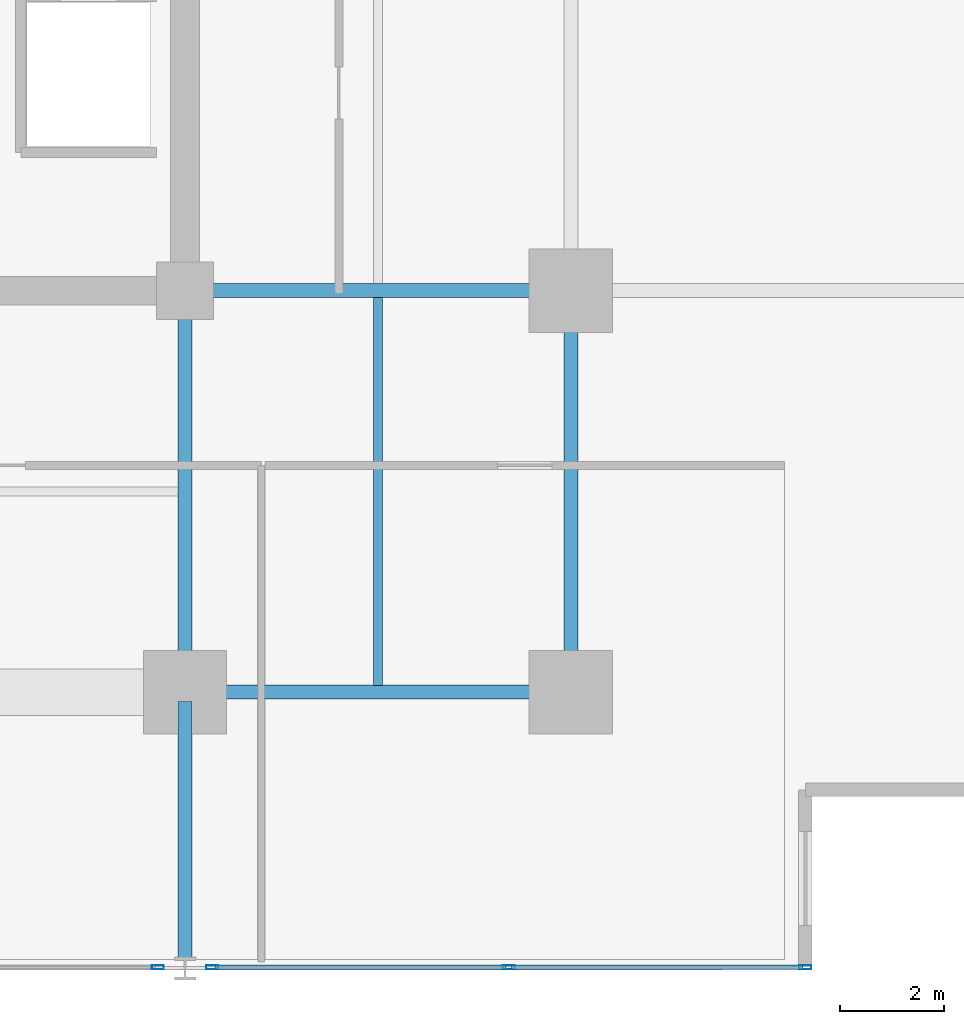
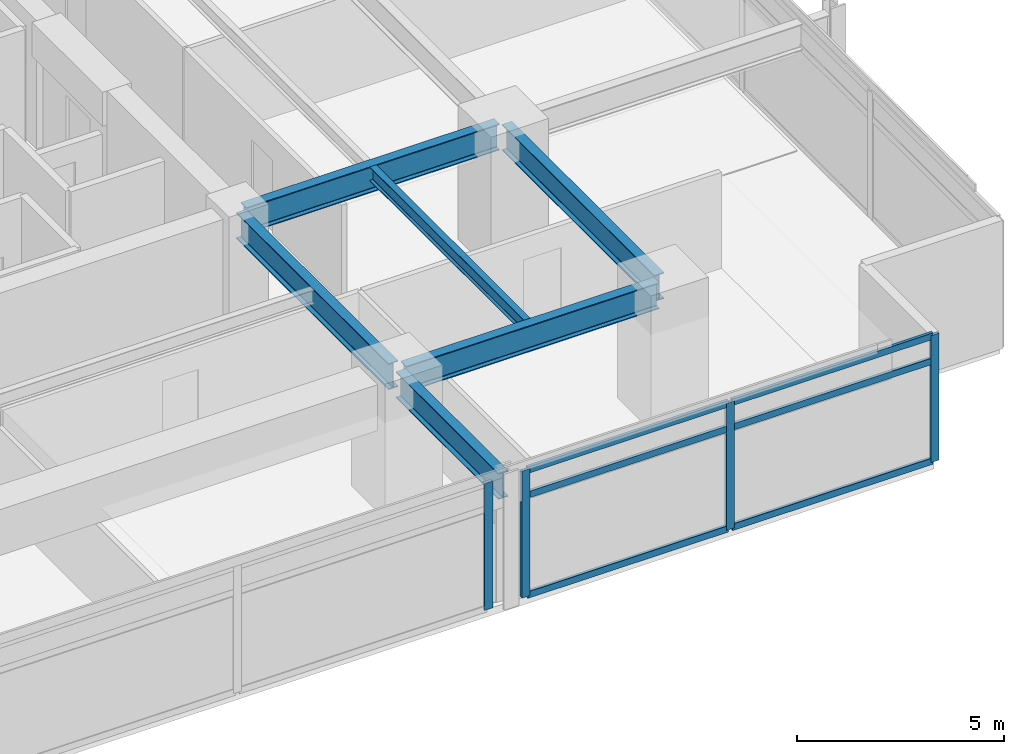
# One storey, part 6 of 20: 10 members, 6 beams, 2 elements without a shape of their own.
"""IFC4 building model written with IfcOpenShell, lengths in metres."""

from ifc_helpers import new_model, si_unit, direction, frame, origin, origin_2d, place, context, subcontext, project, spatial, hollow_rectangle, i_section, extrude, material, material_profile, profile_set, type_object, element, aggregate, save


model = new_model("IFC4")

# Units and contexts
model_context = context("Model", 3, precision=1e-05, world=origin(), true_north=direction((0.0, 1.0)))
body_context = subcontext(model_context, "Body", "Model", "MODEL_VIEW")
ifc_project = project(units=[si_unit("LENGTHUNIT", "METRE"), si_unit("AREAUNIT", "SQUARE_METRE"), si_unit("VOLUMEUNIT", "CUBIC_METRE"), si_unit("PLANEANGLEUNIT", "RADIAN"), si_unit("MASSUNIT", "GRAM", prefix="KILO")], contexts=[model_context])

# Site, building, storey
site_placement = place(None, origin())
site = spatial("IfcSite", under=ifc_project, at=site_placement, CompositionType="ELEMENT")
building_placement = place(site_placement, origin())
building = spatial("IfcBuilding", under=site, at=building_placement, Name="Kovane Verandah Tower", CompositionType="ELEMENT")
storey_placement = place(building_placement, frame((0.0, 0.0, 164.39990234375)))
storey = spatial("IfcBuildingStorey", under=building, at=storey_placement, Name="L38", CompositionType="ELEMENT", Elevation=164.39990234375)

# Beams
ifc_material_1 = material(Name="Steel S355", Category="steel")
ifc_material_profile_1 = material_profile(ifc_material_1, i_section(OverallWidth=0.26806640625, OverallDepth=0.769775390625, WebThickness=0.015625, FlangeThickness=0.025390625, FilletRadius=0.0166015625, at=origin_2d()), Name="UB762x267x197")
ifc_profile_set_1 = profile_set([ifc_material_profile_1], Name="Steel S355")
beam_type_1 = type_object("IfcBeamType", Name="BM-UB762x197", PredefinedType="BEAM", material=ifc_profile_set_1)
beam_1_placement = place(storey_placement, frame((51.179931640625, 10.800048828125, 3.39013671875), z_axis=(1.0, 0.0, 0.0), x_axis=(0.0, 1.0, 0.0)))
element("IfcBeam", 1, at=beam_1_placement, inside=storey, type_object=beam_type_1, Name="L38 Primary Tower Girder G-RS3", PredefinedType="BEAM", context=body_context, shape_type="SweptSolid", body=[
    extrude(i_section(OverallWidth=0.26806640625, OverallDepth=0.769775390625, WebThickness=0.015625, FlangeThickness=0.025390625, FilletRadius=0.0166015625, at=origin_2d()), origin(), (0.0, 0.0, 1.0), 7.0400390625),
])
beam_2_placement = place(storey_placement, frame((58.39990234375, 10.97998046875, 3.39013671875), z_axis=(0.0, 1.0, 0.0), x_axis=(-1.0, 0.0, 0.0)))
element("IfcBeam", 2, at=beam_2_placement, inside=storey, type_object=beam_type_1, Name="L38 Primary Tower Girder G-RE1", PredefinedType="BEAM", context=body_context, shape_type="SweptSolid", body=[
    extrude(i_section(OverallWidth=0.26806640625, OverallDepth=0.769775390625, WebThickness=0.015625, FlangeThickness=0.025390625, FilletRadius=0.0166015625, at=origin_2d()), origin(), (0.0, 0.0, 1.0), 7.340087890625),
])
beam_3_placement = place(storey_placement, frame((51.179931640625, 18.5, 3.39013671875), z_axis=(1.0, 0.0, 0.0), x_axis=(0.0, 1.0, 0.0)))
element("IfcBeam", 3, at=beam_3_placement, inside=storey, type_object=beam_type_1, Name="L38 Primary Tower Girder G-E1", PredefinedType="BEAM", context=body_context, shape_type="SweptSolid", body=[
    extrude(i_section(OverallWidth=0.26806640625, OverallDepth=0.769775390625, WebThickness=0.015625, FlangeThickness=0.025390625, FilletRadius=0.0166015625, at=origin_2d()), origin(), (0.0, 0.0, 1.0), 7.0400390625),
])
beam_4_placement = place(storey_placement, frame((51.0, 18.320068359375, 3.39013671875), z_axis=(0.0, -1.0, 0.0), x_axis=(1.0, 0.0, 0.0)))
element("IfcBeam", 4, at=beam_4_placement, inside=storey, type_object=beam_type_1, Name="L38 Primary Tower Girder G-S2", PredefinedType="BEAM", context=body_context, shape_type="SweptSolid", body=[
    extrude(i_section(OverallWidth=0.26806640625, OverallDepth=0.769775390625, WebThickness=0.015625, FlangeThickness=0.025390625, FilletRadius=0.0166015625, at=origin_2d()), origin(), (0.0, 0.0, 1.0), 7.340087890625),
])
beam_5_placement = place(storey_placement, frame((51.0, 10.6201171875, 3.375244140625), z_axis=(0.0, -1.0, 0.0), x_axis=(1.0, 0.0, 0.0)))
element("IfcBeam", 5, at=beam_5_placement, inside=storey, type_object=beam_type_1, Name="L38 Primary Tower Girder G-VS2", PredefinedType="BEAM", context=body_context, shape_type="SweptSolid", body=[
    extrude(i_section(OverallWidth=0.26806640625, OverallDepth=0.769775390625, WebThickness=0.015625, FlangeThickness=0.025390625, FilletRadius=0.0166015625, at=origin_2d()), origin(), (0.0, 0.0, 1.0), 4.940185546875),
])

# Curtain wall, member
ifc_material_2 = material(Name="Champagne Anodised Aluminium Frame with Low-E Clear Laminated Glass", Category="aluminium")
curtain_wall_type = type_object("IfcCurtainWallType", Name="CW-SYS-03-MID", PredefinedType="NOTDEFINED", material=ifc_material_2)
curtain_wall_1_placement = place(storey_placement, origin())
curtain_wall_1 = element("IfcCurtainWall", 6, at=curtain_wall_1_placement, inside=storey, type_object=curtain_wall_type, Name="L38 S Unitised Curtain Wall-2", PredefinedType="NOTDEFINED")
ifc_material_3 = material(Name="Champagne Anodised Aluminium 6063-T6", Category="aluminium")
ifc_material_profile_2 = material_profile(ifc_material_3, hollow_rectangle(XDim=0.0849609375, YDim=0.22998046875, WallThickness=0.00390625, at=origin_2d()), Name="AL85x230x4")
ifc_profile_set_2 = profile_set([ifc_material_profile_2], Name="Champagne Anodised Aluminium 6063-T6")
member_type_1 = type_object("IfcMemberType", Name="CW-MUL-85x230", PredefinedType="MULLION", material=ifc_profile_set_2)
member_1_placement = place(storey_placement, frame((50.47998046875, 5.52685546875, 0.02001953125), z_axis=(0.0, 0.0, 1.0), x_axis=(0.0, -1.0, 0.0)))
member_1 = element("IfcMember", 7, at=member_1_placement, type_object=member_type_1, Name="L38 S Unitised Curtain Wall-2 Mullion 4", PredefinedType="MULLION", context=body_context, shape_type="SweptSolid", body=[
    extrude(hollow_rectangle(XDim=0.0849609375, YDim=0.22998046875, WallThickness=0.00390625, at=origin_2d()), origin(), (0.0, 0.0, 1.0), 3.735107421875),
])
aggregate(curtain_wall_1, [member_1])

# Curtain wall, members
curtain_wall_2_placement = place(storey_placement, origin())
curtain_wall_2 = element("IfcCurtainWall", 8, at=curtain_wall_2_placement, inside=storey, type_object=curtain_wall_type, Name="L38 S Unitised Curtain Wall-3", PredefinedType="NOTDEFINED")
member_2_placement = place(storey_placement, frame((51.52001953125, 5.52685546875, 0.02001953125), z_axis=(0.0, 0.0, 1.0), x_axis=(0.0, -1.0, 0.0)))
member_2 = element("IfcMember", 9, at=member_2_placement, type_object=member_type_1, Name="L38 S Unitised Curtain Wall-3 Mullion 1", PredefinedType="MULLION", context=body_context, shape_type="SweptSolid", body=[
    extrude(hollow_rectangle(XDim=0.0849609375, YDim=0.22998046875, WallThickness=0.00390625, at=origin_2d()), origin(), (0.0, 0.0, 1.0), 3.735107421875),
])
member_3_placement = place(storey_placement, frame((57.208984375, 5.52685546875, 0.02001953125), z_axis=(0.0, 0.0, 1.0), x_axis=(0.0, -1.0, 0.0)))
member_3 = element("IfcMember", 10, at=member_3_placement, type_object=member_type_1, Name="L38 S Unitised Curtain Wall-3 Mullion 2", PredefinedType="MULLION", context=body_context, shape_type="SweptSolid", body=[
    extrude(hollow_rectangle(XDim=0.0849609375, YDim=0.22998046875, WallThickness=0.00390625, at=origin_2d()), origin(), (0.0, 0.0, 1.0), 3.735107421875),
])
member_4_placement = place(storey_placement, frame((62.89794921875, 5.52685546875, 0.02001953125), z_axis=(0.0, 0.0, 1.0), x_axis=(0.0, -1.0, 0.0)))
member_4 = element("IfcMember", 11, at=member_4_placement, type_object=member_type_1, Name="L38 S Unitised Curtain Wall-3 Mullion 3", PredefinedType="MULLION", context=body_context, shape_type="SweptSolid", body=[
    extrude(hollow_rectangle(XDim=0.0849609375, YDim=0.22998046875, WallThickness=0.00390625, at=origin_2d()), origin(), (0.0, 0.0, 1.0), 3.735107421875),
])
ifc_material_profile_3 = material_profile(ifc_material_3, hollow_rectangle(XDim=0.0849609375, YDim=0.18994140625, WallThickness=0.00390625, at=origin_2d()), Name="AL85x190x4")
ifc_profile_set_3 = profile_set([ifc_material_profile_3], Name="Champagne Anodised Aluminium 6063-T6")
member_type_2 = type_object("IfcMemberType", Name="CW-TRN-85x190", PredefinedType="USERDEFINED", material=ifc_profile_set_3)
member_5_placement = place(storey_placement, frame((51.570068359375, 5.52685546875, 0.050048828125), z_axis=(1.0, 0.0, 0.0), x_axis=(0.0, 1.0, 0.0)))
member_5 = element("IfcMember", 12, at=member_5_placement, type_object=member_type_2, Name="L38 S Unitised Curtain Wall-3 Transom TB Bay 1", ObjectType="TRANSOM", PredefinedType="USERDEFINED", context=body_context, shape_type="SweptSolid", body=[
    extrude(hollow_rectangle(XDim=0.0849609375, YDim=0.18994140625, WallThickness=0.00390625, at=origin_2d()), origin(), (0.0, 0.0, 1.0), 5.5888671875),
])
member_6_placement = place(storey_placement, frame((51.570068359375, 5.52685546875, 2.9951171875), z_axis=(1.0, 0.0, 0.0), x_axis=(0.0, 1.0, 0.0)))
member_6 = element("IfcMember", 13, at=member_6_placement, type_object=member_type_2, Name="L38 S Unitised Curtain Wall-3 Transom TM Bay 1", ObjectType="TRANSOM", PredefinedType="USERDEFINED", context=body_context, shape_type="SweptSolid", body=[
    extrude(hollow_rectangle(XDim=0.0849609375, YDim=0.18994140625, WallThickness=0.00390625, at=origin_2d()), origin(), (0.0, 0.0, 1.0), 5.5888671875),
])
member_7_placement = place(storey_placement, frame((51.570068359375, 5.52685546875, 3.72509765625), z_axis=(1.0, 0.0, 0.0), x_axis=(0.0, 1.0, 0.0)))
member_7 = element("IfcMember", 14, at=member_7_placement, type_object=member_type_2, Name="L38 S Unitised Curtain Wall-3 Transom TT Bay 1", ObjectType="TRANSOM", PredefinedType="USERDEFINED", context=body_context, shape_type="SweptSolid", body=[
    extrude(hollow_rectangle(XDim=0.0849609375, YDim=0.18994140625, WallThickness=0.00390625, at=origin_2d()), origin(), (0.0, 0.0, 1.0), 5.5888671875),
])
member_8_placement = place(storey_placement, frame((57.259033203125, 5.52685546875, 0.050048828125), z_axis=(1.0, 0.0, 0.0), x_axis=(0.0, 1.0, 0.0)))
member_8 = element("IfcMember", 15, at=member_8_placement, type_object=member_type_2, Name="L38 S Unitised Curtain Wall-3 Transom TB Bay 2", ObjectType="TRANSOM", PredefinedType="USERDEFINED", context=body_context, shape_type="SweptSolid", body=[
    extrude(hollow_rectangle(XDim=0.0849609375, YDim=0.18994140625, WallThickness=0.00390625, at=origin_2d()), origin(), (0.0, 0.0, 1.0), 5.5888671875),
])
member_9_placement = place(storey_placement, frame((57.259033203125, 5.52685546875, 2.9951171875), z_axis=(1.0, 0.0, 0.0), x_axis=(0.0, 1.0, 0.0)))
member_9 = element("IfcMember", 16, at=member_9_placement, type_object=member_type_2, Name="L38 S Unitised Curtain Wall-3 Transom TM Bay 2", ObjectType="TRANSOM", PredefinedType="USERDEFINED", context=body_context, shape_type="SweptSolid", body=[
    extrude(hollow_rectangle(XDim=0.0849609375, YDim=0.18994140625, WallThickness=0.00390625, at=origin_2d()), origin(), (0.0, 0.0, 1.0), 5.5888671875),
])
member_10_placement = place(storey_placement, frame((57.259033203125, 5.52685546875, 3.72509765625), z_axis=(1.0, 0.0, 0.0), x_axis=(0.0, 1.0, 0.0)))
member_10 = element("IfcMember", 17, at=member_10_placement, type_object=member_type_2, Name="L38 S Unitised Curtain Wall-3 Transom TT Bay 2", ObjectType="TRANSOM", PredefinedType="USERDEFINED", context=body_context, shape_type="SweptSolid", body=[
    extrude(hollow_rectangle(XDim=0.0849609375, YDim=0.18994140625, WallThickness=0.00390625, at=origin_2d()), origin(), (0.0, 0.0, 1.0), 5.5888671875),
])
aggregate(curtain_wall_2, [member_2, member_3, member_4, member_5, member_6, member_7, member_8, member_9, member_10])

# Beam
ifc_material_profile_4 = material_profile(ifc_material_1, i_section(OverallWidth=0.179443359375, OverallDepth=0.412841796875, WebThickness=0.009521484375, FlangeThickness=0.01611328125, FilletRadius=0.01025390625, at=origin_2d()), Name="UB406x178x74")
ifc_profile_set_4 = profile_set([ifc_material_profile_4], Name="Steel S355")
beam_type_2 = type_object("IfcBeamType", Name="JST-UB406x74", PredefinedType="JOIST", material=ifc_profile_set_4)
beam_6_placement = place(storey_placement, frame((54.699951171875, 10.931884765625, 3.568603515625), z_axis=(0.0, 1.0, 0.0), x_axis=(-1.0, 0.0, 0.0)))
element("IfcBeam", 18, at=beam_6_placement, inside=storey, type_object=beam_type_2, Name="L38 Secondary Composite Joist J-SE1", PredefinedType="JOIST", context=body_context, shape_type="SweptSolid", body=[
    extrude(i_section(OverallWidth=0.179443359375, OverallDepth=0.412841796875, WebThickness=0.009521484375, FlangeThickness=0.01611328125, FilletRadius=0.01025390625, at=origin_2d()), origin(), (0.0, 0.0, 1.0), 7.43603515625),
])

save(model, "model.ifc")
